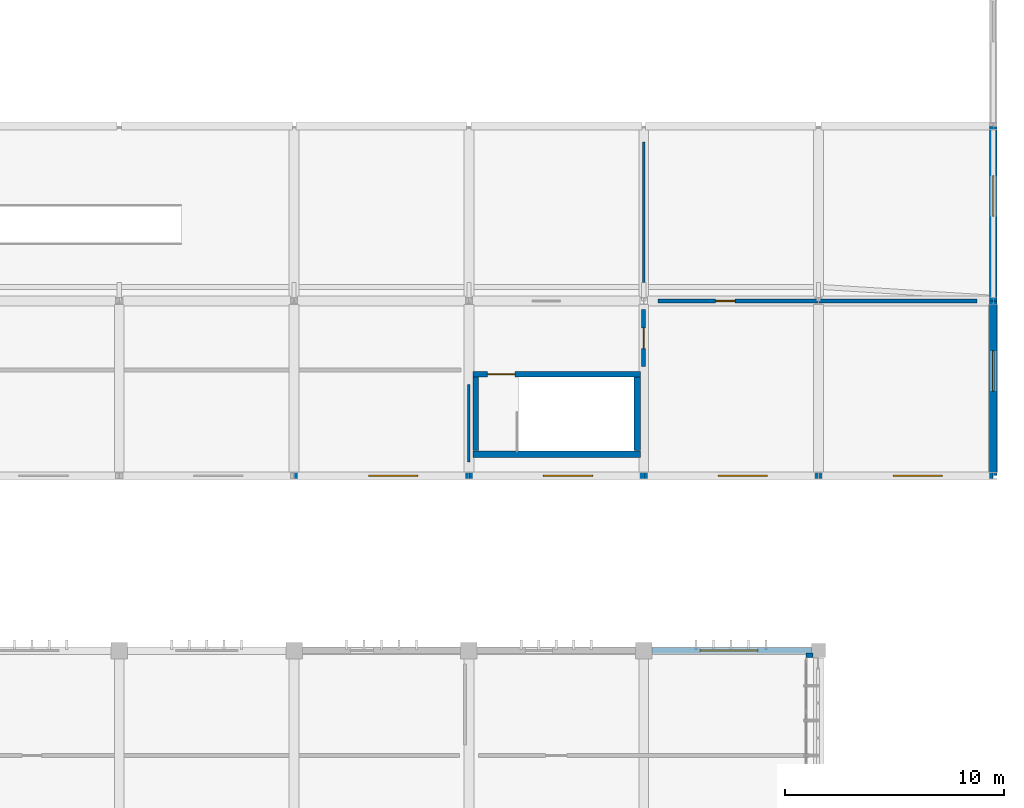
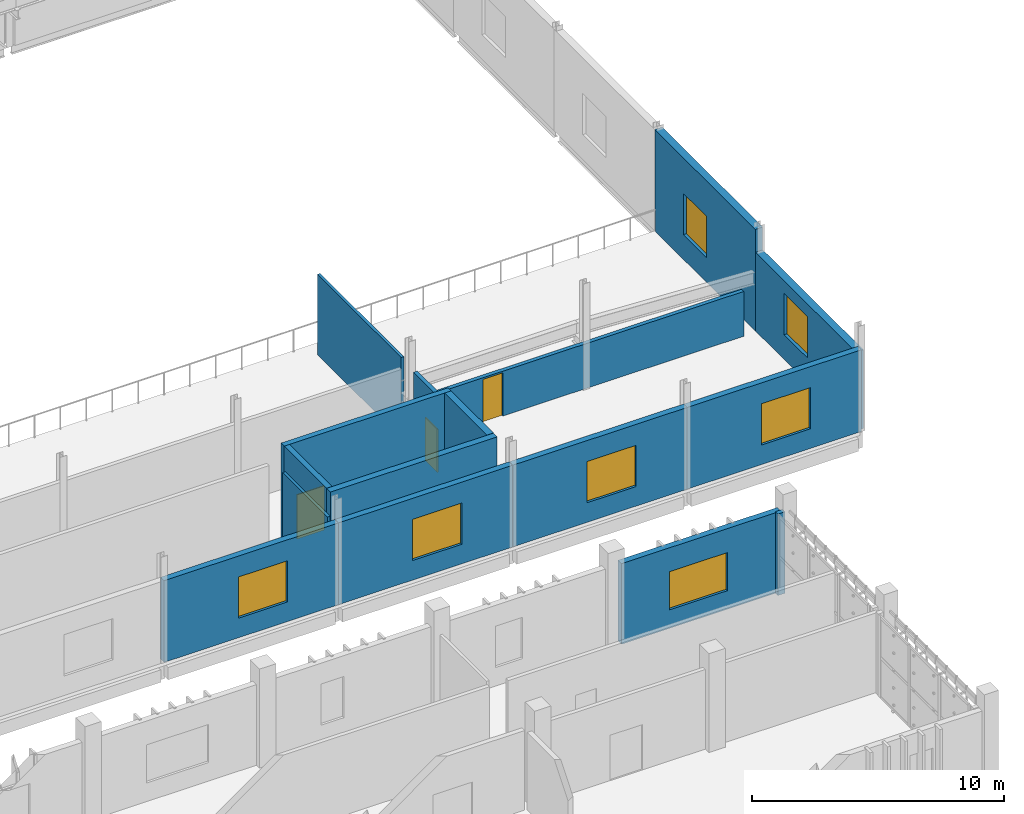
# One storey, part 91 of 106: 16 walls, 7 windows, 3 doors, 10 openings.
"""IFC4 building model written with IfcOpenShell, lengths in metres."""

from ifc_helpers import new_model, si_unit, direction, frame, frame_2d, origin, place, context, subcontext, project, spatial, rectangle, extrude, material, layer, layer_set, type_object, element, fill, save


model = new_model("IFC4")

# Units and contexts
model_context = context("Model", 3, precision=1e-05, world=origin(), true_north=direction((0.0, 1.0)))
body_context = subcontext(model_context, "Body", "Model", "MODEL_VIEW")
ifc_project = project(units=[si_unit("LENGTHUNIT", "METRE"), si_unit("AREAUNIT", "SQUARE_METRE"), si_unit("VOLUMEUNIT", "CUBIC_METRE"), si_unit("PLANEANGLEUNIT", "RADIAN"), si_unit("MASSUNIT", "GRAM", prefix="KILO")], contexts=[model_context])

# Site, building, storey
site_placement = place(None, origin())
site = spatial("IfcSite", under=ifc_project, at=site_placement, CompositionType="ELEMENT")
building_placement = place(site_placement, origin())
building = spatial("IfcBuilding", under=site, at=building_placement, Name="Jelvoka-Kovrelna Polytechnic", CompositionType="ELEMENT")
storey_placement = place(building_placement, frame((0.0, 0.0, 4.800048828125)))
storey = spatial("IfcBuildingStorey", under=building, at=storey_placement, Name="L02", CompositionType="ELEMENT", Elevation=4.800048828125)

# Wall, opening, door
ifc_material_1 = material(Name="Concrete C40/50", Category="concrete")
ifc_layer_1 = layer(ifc_material_1, 0.25)
ifc_layer_set_1 = layer_set([ifc_layer_1], Name="Concrete C40/50")
wall_type_1 = type_object("IfcWallType", Name="Wall_Core_250", PredefinedType="SOLIDWALL", material=ifc_layer_set_1)
wall_1_placement = place(storey_placement, frame((176.199951171875, 84.639892578125, 0.0), z_axis=(0.0, 0.0, 1.0), x_axis=(1.0, 0.0, 0.0)))
wall_1 = element("IfcWall", 1, at=wall_1_placement, inside=storey, type_object=wall_type_1, Name="L02 interior wall 0015", PredefinedType="SOLIDWALL", context=body_context, shape_type="SweptSolid", body=[
    extrude(rectangle(XDim=7.650146484375, YDim=0.25, at=frame_2d((3.8251953125, 0.0))), origin(), (0.0, 0.0, 1.0), 4.800048828125),
])
opening_1_placement = place(wall_1_placement, frame((0.64990234375, 0.0, 0.0)))
opening_1 = element("IfcOpeningElement", 2, at=opening_1_placement, cuts=wall_1, Name="Opening SD-L02-004", PredefinedType="OPENING", context=body_context, shape_type="SweptSolid", body=[
    extrude(rectangle(XDim=1.25, YDim=2.14990234375, at=frame_2d((0.625, 1.074951171875))), frame((0.0, 0.135009765625, 0.0), z_axis=(0.0, -1.0, 0.0), x_axis=(1.0, 0.0, 0.0)), (0.0, 0.0, 1.0), 0.27001953125),
])
ifc_material_2 = material(Name="Powder-coated steel fire door", Category="steel")
door_type_1 = type_object("IfcDoorType", Name="Door_Fire_FD02", OperationType="NOTDEFINED", PredefinedType="DOOR", material=ifc_material_2)
door_1_placement = place(opening_1_placement, origin())
door_1 = element("IfcDoor", 3, at=door_1_placement, inside=storey, type_object=door_type_1, Name="L02 interior door SD-L02-004", OperationType="SINGLE_SWING_LEFT", OverallHeight=2.14990234375, OverallWidth=1.25, PredefinedType="DOOR", context=body_context, shape_type="SweptSolid", body=[
    extrude(rectangle(XDim=1.25, YDim=2.14990234375, at=frame_2d((0.625, 1.074951171875))), frame((0.0, 0.02490234375, 0.0), z_axis=(0.0, -1.0, 0.0), x_axis=(1.0, 0.0, 0.0)), (0.0, 0.0, 1.0), 0.050048828125),
])
fill(opening_1, door_1)

# Wall
wall_2_placement = place(storey_placement, frame((176.324951171875, 81.14990234375, 0.0), z_axis=(0.0, 0.0, 1.0), x_axis=(0.0, 1.0, 0.0)))
element("IfcWall", 4, at=wall_2_placement, inside=storey, type_object=wall_type_1, Name="L02 interior wall 0016", PredefinedType="SOLIDWALL", context=body_context, shape_type="SweptSolid", body=[
    extrude(rectangle(XDim=3.360107421875, YDim=0.25, at=frame_2d((1.68017578125, 0.0))), origin(), (0.0, 0.0, 1.0), 4.800048828125),
])

# Wall, opening, door
ifc_material_3 = material(Name="Autoclaved aerated concrete blockwork", Category="masonry")
ifc_layer_2 = layer(ifc_material_3, 0.179931640625)
ifc_layer_set_2 = layer_set([ifc_layer_2], Name="Autoclaved aerated concrete blockwork")
wall_type_2 = type_object("IfcWallType", Name="Wall_Corridor_180", PredefinedType="PARTITIONING", material=ifc_layer_set_2)
wall_3_placement = place(storey_placement, frame((184.64990234375, 88.0, 0.0), z_axis=(0.0, 0.0, 1.0), x_axis=(1.0, 0.0, 0.0)))
wall_3 = element("IfcWall", 5, at=wall_3_placement, inside=storey, type_object=wall_type_2, Name="L02 interior wall 1004", PredefinedType="PARTITIONING", context=body_context, shape_type="SweptSolid", body=[
    extrude(rectangle(XDim=14.60009765625, YDim=0.179931640625, at=frame_2d((7.300048828125, 0.0))), origin(), (0.0, 0.0, 1.0), 2.175048828125),
])
opening_2_placement = place(wall_3_placement, frame((2.639892578125, 0.0, 0.0)))
opening_2 = element("IfcOpeningElement", 6, at=opening_2_placement, cuts=wall_3, Name="Opening D-L02-262", PredefinedType="OPENING", context=body_context, shape_type="SweptSolid", body=[
    extrude(rectangle(XDim=0.89990234375, YDim=2.10009765625, at=frame_2d((0.449951171875, 1.050048828125))), frame((0.0, 0.099853515625, 0.0), z_axis=(0.0, -1.0, 0.0), x_axis=(1.0, 0.0, 0.0)), (0.0, 0.0, 1.0), 0.199951171875),
])
ifc_material_4 = material(Name="Hardwood solid-core door", Category="wood")
door_type_2 = type_object("IfcDoorType", Name="Door_Int_D01", OperationType="NOTDEFINED", PredefinedType="DOOR", material=ifc_material_4)
door_2_placement = place(opening_2_placement, origin())
door_2 = element("IfcDoor", 7, at=door_2_placement, inside=storey, type_object=door_type_2, Name="L02 interior door D-L02-262", OperationType="SINGLE_SWING_LEFT", OverallHeight=2.10009765625, OverallWidth=0.89990234375, PredefinedType="DOOR", context=body_context, shape_type="SweptSolid", body=[
    extrude(rectangle(XDim=0.89990234375, YDim=2.10009765625, at=frame_2d((0.449951171875, 1.050048828125))), frame((0.0, 0.02490234375, 0.0), z_axis=(0.0, -1.0, 0.0), x_axis=(1.0, 0.0, 0.0)), (0.0, 0.0, 1.0), 0.050048828125),
])
fill(opening_2, door_2)

wall_4_placement = place(storey_placement, frame((184.0, 85.0, 0.0), z_axis=(0.0, 0.0, 1.0), x_axis=(0.0, 1.0, 0.0)))
wall_4 = element("IfcWall", 8, at=wall_4_placement, inside=storey, type_object=wall_type_2, Name="L02 interior wall 1010", PredefinedType="PARTITIONING", context=body_context, shape_type="SweptSolid", body=[
    extrude(rectangle(XDim=2.60009765625, YDim=0.179931640625, at=frame_2d((1.300048828125, 0.0))), origin(), (0.0, 0.0, 1.0), 3.81494140625),
])
opening_3_placement = place(wall_4_placement, frame((0.824951171875, 0.0, 0.0)))
opening_3 = element("IfcOpeningElement", 9, at=opening_3_placement, cuts=wall_4, Name="Opening D-L02-265", PredefinedType="OPENING", context=body_context, shape_type="SweptSolid", body=[
    extrude(rectangle(XDim=0.949951171875, YDim=2.10009765625, at=frame_2d((0.47509765625, 1.050048828125))), frame((0.0, 0.099853515625, 0.0), z_axis=(0.0, -1.0, 0.0), x_axis=(1.0, 0.0, 0.0)), (0.0, 0.0, 1.0), 0.199951171875),
])
ifc_material_5 = material(Name="Hardwood fire-resisting laboratory door", Category="wood")
door_type_3 = type_object("IfcDoorType", Name="Door_Fire_FD30_01", OperationType="NOTDEFINED", PredefinedType="DOOR", material=ifc_material_5)
door_3_placement = place(opening_3_placement, origin())
door_3 = element("IfcDoor", 10, at=door_3_placement, inside=storey, type_object=door_type_3, Name="L02 interior door D-L02-265", OperationType="SINGLE_SWING_RIGHT", OverallHeight=2.10009765625, OverallWidth=0.949951171875, PredefinedType="DOOR", context=body_context, shape_type="SweptSolid", body=[
    extrude(rectangle(XDim=0.949951171875, YDim=2.10009765625, at=frame_2d((0.47509765625, 1.050048828125))), frame((0.0, 0.02490234375, 0.0), z_axis=(0.0, -1.0, 0.0), x_axis=(1.0, 0.0, 0.0)), (0.0, 0.0, 1.0), 0.050048828125),
])
fill(opening_3, door_3)

# Wall, opening, window
ifc_material_6 = material(Name="Precast concrete C40/50", Category="concrete")
ifc_layer_3 = layer(ifc_material_6, 0.280029296875)
ifc_layer_set_3 = layer_set([ifc_layer_3], Name="Precast concrete C40/50")
wall_type_3 = type_object("IfcWallType", Name="Wall_Ext_White_280", PredefinedType="STANDARD", material=ifc_layer_set_3)
wall_5_placement = place(storey_placement, frame((184.3720703125, 72.0, 0.0), z_axis=(0.0, 0.0, 1.0), x_axis=(1.0, 0.0, 0.0)))
wall_5 = element("IfcWall", 11, at=wall_5_placement, inside=storey, type_object=wall_type_3, Name="L02 exterior wall 0634", PredefinedType="STANDARD", context=body_context, shape_type="SweptSolid", body=[
    extrude(rectangle(XDim=7.305908203125, YDim=0.280029296875, at=frame_2d((3.65283203125, 0.0))), origin(), (0.0, 0.0, 1.0), 3.909912109375),
])
opening_4_placement = place(wall_5_placement, frame((2.2080078125, 0.0, 0.89990234375)))
opening_4 = element("IfcOpeningElement", 12, at=opening_4_placement, cuts=wall_5, Name="Opening W-L02-308", PredefinedType="OPENING", context=body_context, shape_type="SweptSolid", body=[
    extrude(rectangle(XDim=2.64990234375, YDim=1.85009765625, at=frame_2d((1.324951171875, 0.925048828125))), frame((0.0, 0.150146484375, 0.0), z_axis=(0.0, -1.0, 0.0), x_axis=(1.0, 0.0, 0.0)), (0.0, 0.0, 1.0), 0.300048828125),
])
ifc_material_7 = material(Name="Thermally broken anodised aluminium and low-e glazing", Category="aluminium")
window_type_1 = type_object("IfcWindowType", Name="Win_Casement_W49", PartitioningType="DOUBLE_PANEL_VERTICAL", PredefinedType="WINDOW", material=ifc_material_7)
window_1_placement = place(opening_4_placement, origin())
window_1 = element("IfcWindow", 13, at=window_1_placement, inside=storey, type_object=window_type_1, Name="L02 aluminium casement window W-L02-308", OverallHeight=1.85009765625, OverallWidth=2.64990234375, PartitioningType="DOUBLE_PANEL_VERTICAL", PredefinedType="WINDOW", context=body_context, shape_type="SweptSolid", body=[
    extrude(rectangle(XDim=2.64990234375, YDim=1.85009765625, at=frame_2d((1.324951171875, 0.925048828125))), frame((0.0, 0.030029296875, 0.0), z_axis=(0.0, -1.0, 0.0), x_axis=(1.0, 0.0, 0.0)), (0.0, 0.0, 1.0), 0.06005859375),
])
fill(opening_4, window_1)

wall_6_placement = place(storey_placement, frame((175.99609375, 80.0, 0.0), z_axis=(0.0, 0.0, 1.0), x_axis=(-1.0, 0.0, 0.0)))
wall_6 = element("IfcWall", 14, at=wall_6_placement, inside=storey, type_object=wall_type_3, Name="L02 exterior wall 0934", PredefinedType="STANDARD", context=body_context, shape_type="SweptSolid", body=[
    extrude(rectangle(XDim=7.9921875, YDim=0.280029296875, at=frame_2d((3.99609375, 0.0))), origin(), (0.0, 0.0, 1.0), 3.96484375),
])
opening_5_placement = place(wall_6_placement, frame((2.3359375, 0.0, 0.949951171875)))
opening_5 = element("IfcOpeningElement", 15, at=opening_5_placement, cuts=wall_6, Name="Opening W-L02-535", PredefinedType="OPENING", context=body_context, shape_type="SweptSolid", body=[
    extrude(rectangle(XDim=2.25, YDim=2.0, at=frame_2d((1.125, 1.0))), frame((0.0, 0.150146484375, 0.0), z_axis=(0.0, -1.0, 0.0), x_axis=(1.0, 0.0, 0.0)), (0.0, 0.0, 1.0), 0.300048828125),
])
ifc_material_8 = material(Name="Thermally broken anodised aluminium and low-e glazing", Category="aluminium")
window_type_2 = type_object("IfcWindowType", Name="Win_Casement_W57", PartitioningType="DOUBLE_PANEL_VERTICAL", PredefinedType="WINDOW", material=ifc_material_8)
window_2_placement = place(opening_5_placement, origin())
window_2 = element("IfcWindow", 16, at=window_2_placement, inside=storey, type_object=window_type_2, Name="L02 aluminium casement window W-L02-535", OverallHeight=2.0, OverallWidth=2.25, PartitioningType="DOUBLE_PANEL_VERTICAL", PredefinedType="WINDOW", context=body_context, shape_type="SweptSolid", body=[
    extrude(rectangle(XDim=2.25, YDim=2.0, at=frame_2d((1.125, 1.0))), frame((0.0, 0.030029296875, 0.0), z_axis=(0.0, -1.0, 0.0), x_axis=(1.0, 0.0, 0.0)), (0.0, 0.0, 1.0), 0.06005859375),
])
fill(opening_5, window_2)

wall_7_placement = place(storey_placement, frame((183.99609375, 80.0, 0.0), z_axis=(0.0, 0.0, 1.0), x_axis=(-1.0, 0.0, 0.0)))
wall_7 = element("IfcWall", 17, at=wall_7_placement, inside=storey, type_object=wall_type_3, Name="L02 exterior wall 0935", PredefinedType="STANDARD", context=body_context, shape_type="SweptSolid", body=[
    extrude(rectangle(XDim=7.9921875, YDim=0.280029296875, at=frame_2d((3.99609375, 0.0))), origin(), (0.0, 0.0, 1.0), 3.96484375),
])
opening_6_placement = place(wall_7_placement, frame((2.3359375, 0.0, 0.949951171875)))
opening_6 = element("IfcOpeningElement", 18, at=opening_6_placement, cuts=wall_7, Name="Opening W-L02-536", PredefinedType="OPENING", context=body_context, shape_type="SweptSolid", body=[
    extrude(rectangle(XDim=2.25, YDim=2.0, at=frame_2d((1.125, 1.0))), frame((0.0, 0.150146484375, 0.0), z_axis=(0.0, -1.0, 0.0), x_axis=(1.0, 0.0, 0.0)), (0.0, 0.0, 1.0), 0.300048828125),
])
window_3_placement = place(opening_6_placement, origin())
window_3 = element("IfcWindow", 19, at=window_3_placement, inside=storey, type_object=window_type_2, Name="L02 aluminium casement window W-L02-536", OverallHeight=2.0, OverallWidth=2.25, PartitioningType="DOUBLE_PANEL_VERTICAL", PredefinedType="WINDOW", context=body_context, shape_type="SweptSolid", body=[
    extrude(rectangle(XDim=2.25, YDim=2.0, at=frame_2d((1.125, 1.0))), frame((0.0, 0.030029296875, 0.0), z_axis=(0.0, -1.0, 0.0), x_axis=(1.0, 0.0, 0.0)), (0.0, 0.0, 1.0), 0.06005859375),
])
fill(opening_6, window_3)

wall_8_placement = place(storey_placement, frame((191.99609375, 80.0, 0.0), z_axis=(0.0, 0.0, 1.0), x_axis=(-1.0, 0.0, 0.0)))
wall_8 = element("IfcWall", 20, at=wall_8_placement, inside=storey, type_object=wall_type_3, Name="L02 exterior wall 0936", PredefinedType="STANDARD", context=body_context, shape_type="SweptSolid", body=[
    extrude(rectangle(XDim=7.9921875, YDim=0.280029296875, at=frame_2d((3.99609375, 0.0))), origin(), (0.0, 0.0, 1.0), 3.96484375),
])
opening_7_placement = place(wall_8_placement, frame((2.3359375, 0.0, 0.949951171875)))
opening_7 = element("IfcOpeningElement", 21, at=opening_7_placement, cuts=wall_8, Name="Opening W-L02-537", PredefinedType="OPENING", context=body_context, shape_type="SweptSolid", body=[
    extrude(rectangle(XDim=2.25, YDim=2.0, at=frame_2d((1.125, 1.0))), frame((0.0, 0.150146484375, 0.0), z_axis=(0.0, -1.0, 0.0), x_axis=(1.0, 0.0, 0.0)), (0.0, 0.0, 1.0), 0.300048828125),
])
window_4_placement = place(opening_7_placement, origin())
window_4 = element("IfcWindow", 22, at=window_4_placement, inside=storey, type_object=window_type_2, Name="L02 aluminium casement window W-L02-537", OverallHeight=2.0, OverallWidth=2.25, PartitioningType="DOUBLE_PANEL_VERTICAL", PredefinedType="WINDOW", context=body_context, shape_type="SweptSolid", body=[
    extrude(rectangle(XDim=2.25, YDim=2.0, at=frame_2d((1.125, 1.0))), frame((0.0, 0.030029296875, 0.0), z_axis=(0.0, -1.0, 0.0), x_axis=(1.0, 0.0, 0.0)), (0.0, 0.0, 1.0), 0.06005859375),
])
fill(opening_7, window_4)

wall_9_placement = place(storey_placement, frame((199.99609375, 80.0, 0.0), z_axis=(0.0, 0.0, 1.0), x_axis=(-1.0, 0.0, 0.0)))
wall_9 = element("IfcWall", 23, at=wall_9_placement, inside=storey, type_object=wall_type_3, Name="L02 exterior wall 0937", PredefinedType="STANDARD", context=body_context, shape_type="SweptSolid", body=[
    extrude(rectangle(XDim=7.9921875, YDim=0.280029296875, at=frame_2d((3.99609375, 0.0))), origin(), (0.0, 0.0, 1.0), 3.96484375),
])
opening_8_placement = place(wall_9_placement, frame((2.3359375, 0.0, 0.949951171875)))
opening_8 = element("IfcOpeningElement", 24, at=opening_8_placement, cuts=wall_9, Name="Opening W-L02-538", PredefinedType="OPENING", context=body_context, shape_type="SweptSolid", body=[
    extrude(rectangle(XDim=2.25, YDim=2.0, at=frame_2d((1.125, 1.0))), frame((0.0, 0.150146484375, 0.0), z_axis=(0.0, -1.0, 0.0), x_axis=(1.0, 0.0, 0.0)), (0.0, 0.0, 1.0), 0.300048828125),
])
window_5_placement = place(opening_8_placement, origin())
window_5 = element("IfcWindow", 25, at=window_5_placement, inside=storey, type_object=window_type_2, Name="L02 aluminium casement window W-L02-538", OverallHeight=2.0, OverallWidth=2.25, PartitioningType="DOUBLE_PANEL_VERTICAL", PredefinedType="WINDOW", context=body_context, shape_type="SweptSolid", body=[
    extrude(rectangle(XDim=2.25, YDim=2.0, at=frame_2d((1.125, 1.0))), frame((0.0, 0.030029296875, 0.0), z_axis=(0.0, -1.0, 0.0), x_axis=(1.0, 0.0, 0.0)), (0.0, 0.0, 1.0), 0.06005859375),
])
fill(opening_8, window_5)

ifc_material_9 = material(Name="Precast concrete C40/50", Category="concrete")
ifc_layer_4 = layer(ifc_material_9, 0.340087890625)
ifc_layer_set_4 = layer_set([ifc_layer_4], Name="Precast concrete C40/50")
wall_type_4 = type_object("IfcWallType", Name="Wall_Ext_Workshop_340", PredefinedType="STANDARD", material=ifc_layer_set_4)
wall_10_placement = place(storey_placement, frame((200.0, 87.99609375, 0.0), z_axis=(0.0, 0.0, 1.0), x_axis=(0.0, -1.0, 0.0)))
wall_10 = element("IfcWall", 26, at=wall_10_placement, inside=storey, type_object=wall_type_4, Name="L02 exterior wall 0914", PredefinedType="STANDARD", context=body_context, shape_type="SweptSolid", body=[
    extrude(rectangle(XDim=7.9921875, YDim=0.340087890625, at=frame_2d((3.99609375, 0.0))), origin(), (0.0, 0.0, 1.0), 3.81494140625),
])
opening_9_placement = place(wall_10_placement, frame((2.27587890625, 0.0, 1.199951171875)))
opening_9 = element("IfcOpeningElement", 27, at=opening_9_placement, cuts=wall_10, Name="Opening W-L02-515", PredefinedType="OPENING", context=body_context, shape_type="SweptSolid", body=[
    extrude(rectangle(XDim=1.85009765625, YDim=2.0, at=frame_2d((0.925048828125, 1.0))), frame((0.0, 0.179931640625, 0.0), z_axis=(0.0, -1.0, 0.0), x_axis=(1.0, 0.0, 0.0)), (0.0, 0.0, 1.0), 0.360107421875),
])
ifc_material_10 = material(Name="Thermally broken anodised aluminium and low-e glazing", Category="aluminium")
window_type_3 = type_object("IfcWindowType", Name="Win_Casement_W55", PartitioningType="DOUBLE_PANEL_VERTICAL", PredefinedType="WINDOW", material=ifc_material_10)
window_6_placement = place(opening_9_placement, origin())
window_6 = element("IfcWindow", 28, at=window_6_placement, inside=storey, type_object=window_type_3, Name="L02 aluminium casement window W-L02-515", OverallHeight=2.0, OverallWidth=1.85009765625, PartitioningType="DOUBLE_PANEL_VERTICAL", PredefinedType="WINDOW", context=body_context, shape_type="SweptSolid", body=[
    extrude(rectangle(XDim=1.85009765625, YDim=2.0, at=frame_2d((0.925048828125, 1.0))), frame((0.0, 0.030029296875, 0.0), z_axis=(0.0, -1.0, 0.0), x_axis=(1.0, 0.0, 0.0)), (0.0, 0.0, 1.0), 0.06005859375),
])
fill(opening_9, window_6)

wall_11_placement = place(storey_placement, frame((200.0, 95.99609375, 0.0), z_axis=(0.0, 0.0, 1.0), x_axis=(0.0, -1.0, 0.0)))
wall_11 = element("IfcWall", 29, at=wall_11_placement, inside=storey, type_object=wall_type_4, Name="L02 exterior wall 0915", PredefinedType="STANDARD", context=body_context, shape_type="SweptSolid", body=[
    extrude(rectangle(XDim=7.9921875, YDim=0.340087890625, at=frame_2d((3.99609375, 0.0))), origin(), (0.0, 0.0, 1.0), 4.919921875),
])
opening_10_placement = place(wall_11_placement, frame((2.27587890625, 0.0, 1.199951171875)))
opening_10 = element("IfcOpeningElement", 30, at=opening_10_placement, cuts=wall_11, Name="Opening W-L02-516", PredefinedType="OPENING", context=body_context, shape_type="SweptSolid", body=[
    extrude(rectangle(XDim=1.85009765625, YDim=2.0, at=frame_2d((0.925048828125, 1.0))), frame((0.0, 0.179931640625, 0.0), z_axis=(0.0, -1.0, 0.0), x_axis=(1.0, 0.0, 0.0)), (0.0, 0.0, 1.0), 0.360107421875),
])
window_7_placement = place(opening_10_placement, origin())
window_7 = element("IfcWindow", 31, at=window_7_placement, inside=storey, type_object=window_type_3, Name="L02 aluminium casement window W-L02-516", OverallHeight=2.0, OverallWidth=1.85009765625, PartitioningType="DOUBLE_PANEL_VERTICAL", PredefinedType="WINDOW", context=body_context, shape_type="SweptSolid", body=[
    extrude(rectangle(XDim=1.85009765625, YDim=2.0, at=frame_2d((0.925048828125, 1.0))), frame((0.0, 0.030029296875, 0.0), z_axis=(0.0, -1.0, 0.0), x_axis=(1.0, 0.0, 0.0)), (0.0, 0.0, 1.0), 0.06005859375),
])
fill(opening_10, window_7)

# Walls
ifc_material_11 = material(Name="Precast concrete C40/50", Category="concrete")
ifc_layer_5 = layer(ifc_material_11, 0.199951171875)
ifc_layer_set_5 = layer_set([ifc_layer_5], Name="Precast concrete C40/50")
wall_type_5 = type_object("IfcWallType", Name="Wall_Parapet_200", PredefinedType="PARAPET", material=ifc_layer_set_5)
wall_12_placement = place(storey_placement, frame((191.760009765625, 71.780029296875, 0.0), z_axis=(0.0, 0.0, 1.0), x_axis=(-1.0, 0.0, 0.0)))
element("IfcWall", 32, at=wall_12_placement, inside=storey, type_object=wall_type_5, Name="L02 exterior wall 0638", PredefinedType="PARAPET", context=body_context, shape_type="SweptSolid", body=[
    extrude(rectangle(XDim=0.320068359375, YDim=0.199951171875, at=frame_2d((0.16015625, 0.0))), origin(), (0.0, 0.0, 1.0), 3.949951171875),
])
ifc_material_12 = material(Name="Acoustic gypsum stud partition")
ifc_layer_6 = layer(ifc_material_12, 0.125)
ifc_layer_set_6 = layer_set([ifc_layer_6], Name="Acoustic gypsum stud partition")
wall_type_6 = type_object("IfcWallType", Name="Wall_Partition_125", PredefinedType="PARTITIONING", material=ifc_layer_set_6)
wall_13_placement = place(storey_placement, frame((184.0, 88.6201171875, 0.0), z_axis=(0.0, 0.0, 1.0), x_axis=(0.0, 1.0, 0.0)))
element("IfcWall", 33, at=wall_13_placement, inside=storey, type_object=wall_type_6, Name="L02 interior wall 1003", PredefinedType="PARTITIONING", context=body_context, shape_type="SweptSolid", body=[
    extrude(rectangle(XDim=6.659912109375, YDim=0.125, at=frame_2d((3.330078125, 0.0))), origin(), (0.0, 0.0, 1.0), 3.89990234375),
])
wall_14_placement = place(storey_placement, frame((176.0, 80.6201171875, 0.0), z_axis=(0.0, 0.0, 1.0), x_axis=(0.0, 1.0, 0.0)))
element("IfcWall", 34, at=wall_14_placement, inside=storey, type_object=wall_type_6, Name="L02 interior wall 1009", PredefinedType="PARTITIONING", context=body_context, shape_type="SweptSolid", body=[
    extrude(rectangle(XDim=3.559814453125, YDim=0.125, at=frame_2d((1.77978515625, 0.0))), origin(), (0.0, 0.0, 1.0), 3.81494140625),
])
ifc_material_13 = material(Name="Concrete C40/50", Category="concrete")
ifc_layer_7 = layer(ifc_material_13, 0.300048828125)
ifc_layer_set_7 = layer_set([ifc_layer_7], Name="Concrete C40/50")
wall_type_7 = type_object("IfcWallType", Name="Wall_Shear_300", PredefinedType="SHEAR", material=ifc_layer_set_7)
wall_15_placement = place(storey_placement, frame((176.199951171875, 80.989990234375, 0.0), z_axis=(0.0, 0.0, 1.0), x_axis=(1.0, 0.0, 0.0)))
element("IfcWall", 35, at=wall_15_placement, inside=storey, type_object=wall_type_7, Name="L02 interior wall 0013", PredefinedType="SHEAR", context=body_context, shape_type="SweptSolid", body=[
    extrude(rectangle(XDim=7.650146484375, YDim=0.300048828125, at=frame_2d((3.8251953125, 0.0))), origin(), (0.0, 0.0, 1.0), 4.800048828125),
])
wall_16_placement = place(storey_placement, frame((183.7099609375, 81.14990234375, 0.0), z_axis=(0.0, 0.0, 1.0), x_axis=(0.0, 1.0, 0.0)))
element("IfcWall", 36, at=wall_16_placement, inside=storey, type_object=wall_type_7, Name="L02 interior wall 0014", PredefinedType="SHEAR", context=body_context, shape_type="SweptSolid", body=[
    extrude(rectangle(XDim=3.360107421875, YDim=0.300048828125, at=frame_2d((1.68017578125, 0.0))), origin(), (0.0, 0.0, 1.0), 4.800048828125),
])

save(model, "model.ifc")
